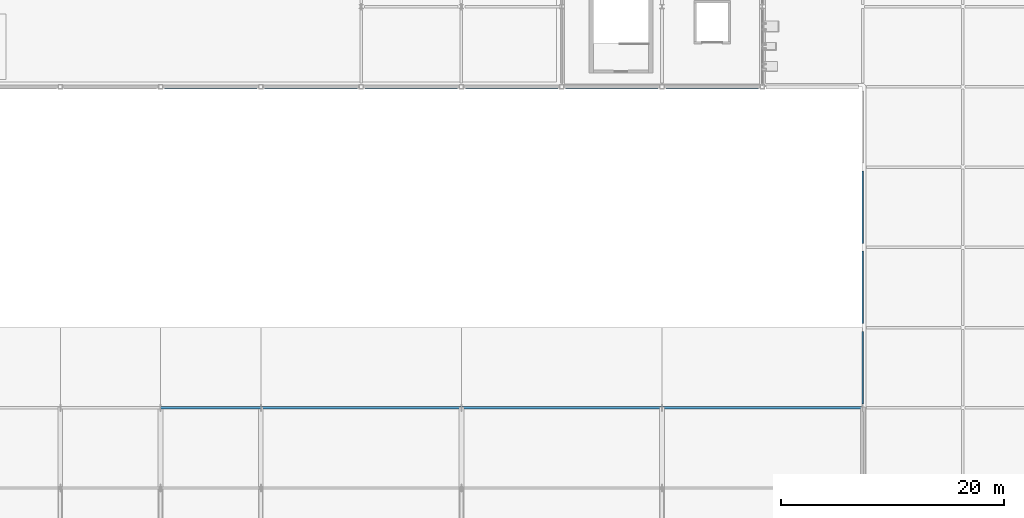
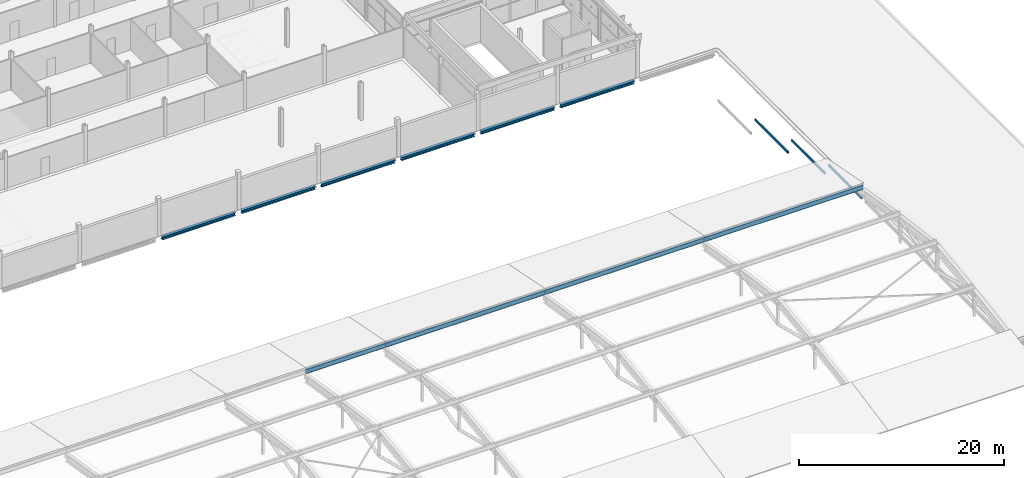
# One storey, part 22 of 78: 9 beams, 4 members.
"""IFC4 building model written with IfcOpenShell, lengths in metres."""

from ifc_helpers import new_model, si_unit, direction, frame, origin, origin_2d, place, context, subcontext, project, spatial, hollow_rectangle, i_section, extrude, material, material_profile, profile_set, type_object, element, save


model = new_model("IFC4")

# Units and contexts
model_context = context("Model", 3, precision=1e-05, world=origin(), true_north=direction((0.0, 1.0)))
body_context = subcontext(model_context, "Body", "Model", "MODEL_VIEW")
ifc_project = project(units=[si_unit("LENGTHUNIT", "METRE"), si_unit("AREAUNIT", "SQUARE_METRE"), si_unit("VOLUMEUNIT", "CUBIC_METRE"), si_unit("PLANEANGLEUNIT", "RADIAN"), si_unit("MASSUNIT", "GRAM", prefix="KILO")], contexts=[model_context])

# Site, building, storey
site_placement = place(None, origin())
site = spatial("IfcSite", under=ifc_project, at=site_placement, CompositionType="ELEMENT")
building_placement = place(site_placement, origin())
building = spatial("IfcBuilding", under=site, at=building_placement, Name="Celestram Park Convention Centre", CompositionType="ELEMENT")
storey_placement = place(building_placement, frame((0.0, 0.0, 19.800048828125)))
storey = spatial("IfcBuildingStorey", under=building, at=storey_placement, Name="L04", CompositionType="ELEMENT", Elevation=19.800048828125)

# Members
ifc_material_1 = material(Name="Steel ASTM A992 Grade 50", Category="steel")
ifc_material_profile_1 = material_profile(ifc_material_1, i_section(OverallWidth=0.2099609375, OverallDepth=0.532958984375, WebThickness=0.01025390625, FlangeThickness=0.015625, at=origin_2d()), Name="W21X62")
ifc_profile_set_1 = profile_set([ifc_material_profile_1], Name="Steel ASTM A992 Grade 50")
member_type = type_object("IfcMemberType", Name="STR-RFT-W21X62", PredefinedType="RAFTER", material=ifc_profile_set_1)
member_1_placement = place(storey_placement, frame((63.0, 79.199951171875, 1.211669921875), z_axis=(1.0, 0.0, 0.0), x_axis=(0.0, 1.0, 0.0)))
element("IfcMember", 1, at=member_1_placement, inside=storey, type_object=member_type, Name="V1 roof purlin", PredefinedType="RAFTER", context=body_context, shape_type="SweptSolid", body=[
    extrude(i_section(OverallWidth=0.2099609375, OverallDepth=0.532958984375, WebThickness=0.01025390625, FlangeThickness=0.015625, at=origin_2d()), origin(), (0.0, 0.0, 1.0), 9.0),
])
for number, where, z_axis, x_axis, name in (
    (2, (72.0, 79.199951171875, 1.211669921875), (1.0, 0.0, 0.0), (0.0, 1.0, 0.0), "V1 roof purlin"),
    (3, (90.0, 79.199951171875, 1.211669921875), (1.0, 0.0, 0.0), (0.0, 1.0, 0.0), "V1 roof purlin"),
):
    element("IfcMember", number, at=place(storey_placement, frame(where, z_axis=z_axis, x_axis=x_axis)), inside=storey, type_object=member_type, Name=name, PredefinedType="RAFTER", context=body_context, shape_type="SweptSolid", body=[
        extrude(i_section(OverallWidth=0.2099609375, OverallDepth=0.532958984375, WebThickness=0.01025390625, FlangeThickness=0.015625, at=origin_2d()), origin(), (0.0, 0.0, 1.0), 18.0),
    ])
member_2_placement = place(storey_placement, frame((108.0, 79.199951171875, 1.211669921875), z_axis=(1.0, 0.0, 0.0), x_axis=(0.0, 1.0, 0.0)))
element("IfcMember", 4, at=member_2_placement, inside=storey, type_object=member_type, Name="V1 roof purlin", PredefinedType="RAFTER", context=body_context, shape_type="SweptSolid", body=[
    extrude(i_section(OverallWidth=0.2099609375, OverallDepth=0.532958984375, WebThickness=0.01025390625, FlangeThickness=0.015625, at=origin_2d()), origin(), (0.0, 0.0, 1.0), 17.919921875),
])

# Beams
ifc_material_2 = material(Name="Steel ASTM A500 Grade C", Category="steel")
ifc_material_profile_2 = material_profile(ifc_material_2, hollow_rectangle(XDim=0.14990234375, YDim=0.25, WallThickness=0.010009765625, at=origin_2d()), Name="HSS250X150X10")
ifc_profile_set_2 = profile_set([ifc_material_profile_2], Name="Steel ASTM A500 Grade C")
beam_type_1 = type_object("IfcBeamType", Name="STR-SPN-HSS250X150", PredefinedType="SPANDREL", material=ifc_profile_set_2)
for number, where, z_axis, x_axis, name in (
    (5, (126.0, 79.548095703125, -0.364990234375), (0.0, 1.0, 0.0), (-1.0, 0.0, 0.0), "Primary Y-girder BG-L04-0155"),
    (6, (126.0, 86.748046875, -1.7783203125), (0.0, 1.0, 0.0), (-1.0, 0.0, 0.0), "Primary Y-girder BG-L04-0157"),
    (7, (126.0, 93.947998046875, -3.65673828125), (0.0, 1.0, 0.0), (-1.0, 0.0, 0.0), "Primary Y-girder BG-L04-0159"),
):
    element("IfcBeam", number, at=place(storey_placement, frame(where, z_axis=z_axis, x_axis=x_axis)), inside=storey, type_object=beam_type_1, Name=name, PredefinedType="SPANDREL", context=body_context, shape_type="SweptSolid", body=[
        extrude(hollow_rectangle(XDim=0.14990234375, YDim=0.25, WallThickness=0.010009765625, at=origin_2d()), origin(), (0.0, 0.0, 1.0), 6.50390625),
    ])
ifc_material_profile_3 = material_profile(ifc_material_1, i_section(OverallWidth=0.367919921875, OverallDepth=0.35595703125, WebThickness=0.01123046875, FlangeThickness=0.01806640625, at=origin_2d()), Name="W14X90")
ifc_profile_set_3 = profile_set([ifc_material_profile_3], Name="Steel ASTM A992 Grade 50")
beam_type_2 = type_object("IfcBeamType", Name="STR-SPN-W14X90", PredefinedType="SPANDREL", material=ifc_profile_set_3)
for number, where, z_axis, x_axis, name in (
    (8, (63.347900390625, 108.0, -0.427978515625), (1.0, 0.0, 0.0), (0.0, 1.0, 0.0), "Primary X-girder BG-L04-0045"),
    (9, (72.347900390625, 108.0, -0.427978515625), (1.0, 0.0, 0.0), (0.0, 1.0, 0.0), "Primary X-girder BG-L04-0057"),
    (10, (81.347900390625, 108.0, -0.427978515625), (1.0, 0.0, 0.0), (0.0, 1.0, 0.0), "Primary X-girder BG-L04-0071"),
    (11, (90.347900390625, 108.0, -0.427978515625), (1.0, 0.0, 0.0), (0.0, 1.0, 0.0), "Primary X-girder BG-L04-0086"),
    (12, (99.347900390625, 108.0, -0.427978515625), (1.0, 0.0, 0.0), (0.0, 1.0, 0.0), "Primary X-girder BG-L04-0101"),
    (13, (108.347900390625, 108.0, -0.427978515625), (1.0, 0.0, 0.0), (0.0, 1.0, 0.0), "Primary X-girder BG-L04-0117"),
):
    element("IfcBeam", number, at=place(storey_placement, frame(where, z_axis=z_axis, x_axis=x_axis)), inside=storey, type_object=beam_type_2, Name=name, PredefinedType="SPANDREL", context=body_context, shape_type="SweptSolid", body=[
        extrude(i_section(OverallWidth=0.367919921875, OverallDepth=0.35595703125, WebThickness=0.01123046875, FlangeThickness=0.01806640625, at=origin_2d()), origin(), (0.0, 0.0, 1.0), 8.30419921875),
    ])

save(model, "model.ifc")
